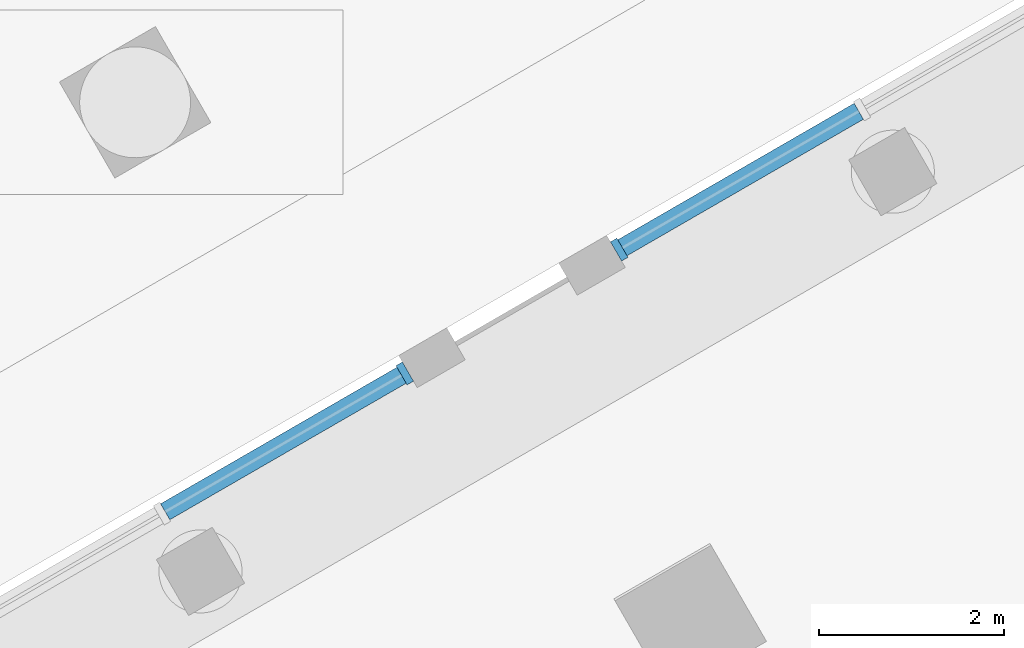
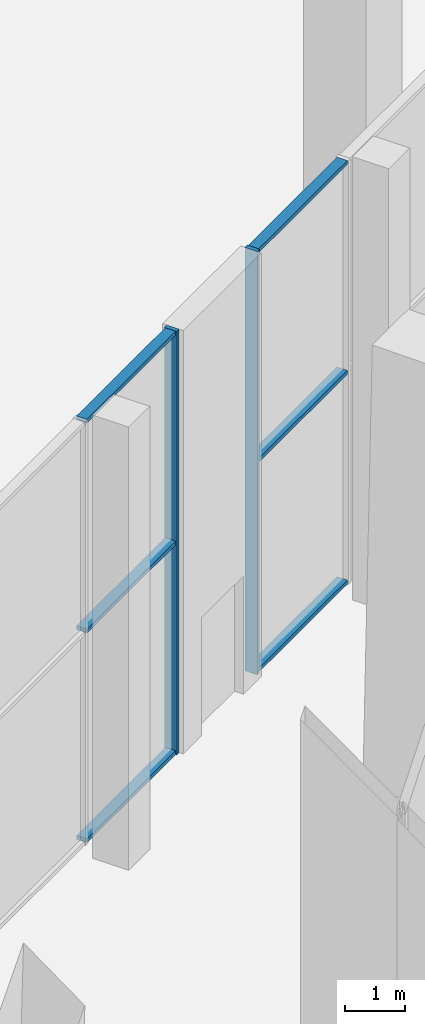
# One storey, part 12 of 63: 8 members, 2 elements without a shape of their own.
"""IFC4 building model written with IfcOpenShell, lengths in metres."""

from ifc_helpers import new_model, si_unit, direction, frame, origin, origin_2d, place, context, subcontext, project, spatial, rectangle, extrude, material, layer, layer_set, material_profile, profile_set, type_object, element, aggregate, save


model = new_model("IFC4")

# Units and contexts
model_context = context("Model", 3, precision=1e-05, world=origin(), true_north=direction((0.0, 1.0)))
body_context = subcontext(model_context, "Body", "Model", "MODEL_VIEW")
ifc_project = project(units=[si_unit("LENGTHUNIT", "METRE"), si_unit("AREAUNIT", "SQUARE_METRE"), si_unit("VOLUMEUNIT", "CUBIC_METRE"), si_unit("PLANEANGLEUNIT", "RADIAN"), si_unit("MASSUNIT", "GRAM", prefix="KILO")], contexts=[model_context])

# Site, building, storey
site_placement = place(None, origin())
site = spatial("IfcSite", under=ifc_project, at=site_placement, CompositionType="ELEMENT")
building_placement = place(site_placement, origin())
building = spatial("IfcBuilding", under=site, at=building_placement, Name="Jabali Bay Hotel Tower and Convention Centre", CompositionType="ELEMENT")
storey_placement = place(building_placement, origin())
storey = spatial("IfcBuildingStorey", under=building, at=storey_placement, Name="L00", CompositionType="ELEMENT", Elevation=0.0)

# Curtain wall, member
ifc_material_1 = material(Name="Aluminium and glass", Category="aluminium")
ifc_layer = layer(ifc_material_1, 0.239990234375)
ifc_layer_set = layer_set([ifc_layer], Name="Aluminium and glass")
curtain_wall_type = type_object("IfcCurtainWallType", Name="CW2 curtain wall", PredefinedType="NOTDEFINED", material=ifc_layer_set)
curtain_wall_1_placement = place(storey_placement, origin())
curtain_wall_1 = element("IfcCurtainWall", 1, at=curtain_wall_1_placement, inside=storey, type_object=curtain_wall_type, Name="CW2 curtain wall north-west face L00", PredefinedType="NOTDEFINED")
ifc_material_2 = material(Name="Aluminium", Category="aluminium")
ifc_material_profile_1 = material_profile(ifc_material_2, rectangle(XDim=0.239990234375, YDim=0.080078125, at=origin_2d()), Name="CW2 mullion 80 x 240")
ifc_profile_set_1 = profile_set([ifc_material_profile_1], Name="Aluminium")
member_type_1 = type_object("IfcMemberType", Name="CW2 mullion 80 x 240", PredefinedType="MULLION", material=ifc_profile_set_1)
member_1_placement = place(storey_placement, frame((61.910400390625, 105.351806640625, 0.0), z_axis=(0.0, 0.0, 1.0), x_axis=(-0.499999999441, 0.866025404107, 0.0)))
member_1 = element("IfcMember", 2, at=member_1_placement, type_object=member_type_1, Name="CW2 mullion 1", PredefinedType="MULLION", context=body_context, shape_type="SweptSolid", body=[
    extrude(rectangle(XDim=0.239990234375, YDim=0.080078125, at=origin_2d()), origin(), (0.0, 0.0, 1.0), 8.60009765625),
])

curtain_wall_2_placement = place(storey_placement, origin())
curtain_wall_2 = element("IfcCurtainWall", 3, at=curtain_wall_2_placement, inside=storey, type_object=curtain_wall_type, Name="CW2 curtain wall north-west face L00", PredefinedType="NOTDEFINED")
member_2_placement = place(storey_placement, frame((59.589599609375, 104.01171875, 0.0), z_axis=(0.0, 0.0, 1.0), x_axis=(-0.499999999441, 0.866025404107, 0.0)))
member_2 = element("IfcMember", 4, at=member_2_placement, type_object=member_type_1, Name="CW2 mullion 3", PredefinedType="MULLION", context=body_context, shape_type="SweptSolid", body=[
    extrude(rectangle(XDim=0.239990234375, YDim=0.080078125, at=origin_2d()), origin(), (0.0, 0.0, 1.0), 8.60009765625),
])

# Member
ifc_material_profile_2 = material_profile(ifc_material_2, rectangle(XDim=0.199951171875, YDim=0.080078125, at=origin_2d()), Name="CW2 transom 80 x 200")
ifc_profile_set_2 = profile_set([ifc_material_profile_2], Name="Aluminium")
member_type_2 = type_object("IfcMemberType", Name="CW2 transom 80 x 200", PredefinedType="USERDEFINED", material=ifc_profile_set_2)
member_3_placement = place(storey_placement, frame((61.945068359375, 105.371826171875, 0.0400390625), z_axis=(0.866042443626, 0.499970484968, 0.0), x_axis=(-0.499970484968, 0.866042443626, 0.0)))
member_3 = element("IfcMember", 5, at=member_3_placement, type_object=member_type_2, Name="CW2 transom 1.1", ObjectType="TRANSOM", PredefinedType="USERDEFINED", context=body_context, shape_type="SweptSolid", body=[
    extrude(rectangle(XDim=0.199951171875, YDim=0.080078125, at=origin_2d()), origin(), (0.0, 0.0, 1.0), 2.953857421875),
])

member_4_placement = place(storey_placement, frame((61.945068359375, 105.371826171875, 4.300048828125), z_axis=(0.866042443626, 0.499970484968, 0.0), x_axis=(-0.499970484968, 0.866042443626, 0.0)))
member_4 = element("IfcMember", 6, at=member_4_placement, type_object=member_type_2, Name="CW2 transom 1.2", ObjectType="TRANSOM", PredefinedType="USERDEFINED", context=body_context, shape_type="SweptSolid", body=[
    extrude(rectangle(XDim=0.199951171875, YDim=0.080078125, at=origin_2d()), origin(), (0.0, 0.0, 1.0), 2.953857421875),
])

member_5_placement = place(storey_placement, frame((61.945068359375, 105.371826171875, 8.56005859375), z_axis=(0.866042443626, 0.499970484968, 0.0), x_axis=(-0.499970484968, 0.866042443626, 0.0)))
member_5 = element("IfcMember", 7, at=member_5_placement, type_object=member_type_2, Name="CW2 transom 1.3", ObjectType="TRANSOM", PredefinedType="USERDEFINED", context=body_context, shape_type="SweptSolid", body=[
    extrude(rectangle(XDim=0.199951171875, YDim=0.080078125, at=origin_2d()), origin(), (0.0, 0.0, 1.0), 2.953857421875),
])

aggregate(curtain_wall_1, [member_1, member_3, member_4, member_5])

member_6_placement = place(storey_placement, frame((56.996826171875, 102.514892578125, 0.0400390625), z_axis=(0.866042443626, 0.499970484968, 0.0), x_axis=(-0.499970484968, 0.866042443626, 0.0)))
member_6 = element("IfcMember", 8, at=member_6_placement, type_object=member_type_2, Name="CW2 transom 2.1", ObjectType="TRANSOM", PredefinedType="USERDEFINED", context=body_context, shape_type="SweptSolid", body=[
    extrude(rectangle(XDim=0.199951171875, YDim=0.080078125, at=origin_2d()), origin(), (0.0, 0.0, 1.0), 2.953857421875),
])

member_7_placement = place(storey_placement, frame((56.996826171875, 102.514892578125, 4.300048828125), z_axis=(0.866042443626, 0.499970484968, 0.0), x_axis=(-0.499970484968, 0.866042443626, 0.0)))
member_7 = element("IfcMember", 9, at=member_7_placement, type_object=member_type_2, Name="CW2 transom 2.2", ObjectType="TRANSOM", PredefinedType="USERDEFINED", context=body_context, shape_type="SweptSolid", body=[
    extrude(rectangle(XDim=0.199951171875, YDim=0.080078125, at=origin_2d()), origin(), (0.0, 0.0, 1.0), 2.953857421875),
])

member_8_placement = place(storey_placement, frame((56.996826171875, 102.514892578125, 8.56005859375), z_axis=(0.866042443626, 0.499970484968, 0.0), x_axis=(-0.499970484968, 0.866042443626, 0.0)))
member_8 = element("IfcMember", 10, at=member_8_placement, type_object=member_type_2, Name="CW2 transom 2.3", ObjectType="TRANSOM", PredefinedType="USERDEFINED", context=body_context, shape_type="SweptSolid", body=[
    extrude(rectangle(XDim=0.199951171875, YDim=0.080078125, at=origin_2d()), origin(), (0.0, 0.0, 1.0), 2.953857421875),
])

aggregate(curtain_wall_2, [member_2, member_6, member_7, member_8])

save(model, "model.ifc")
